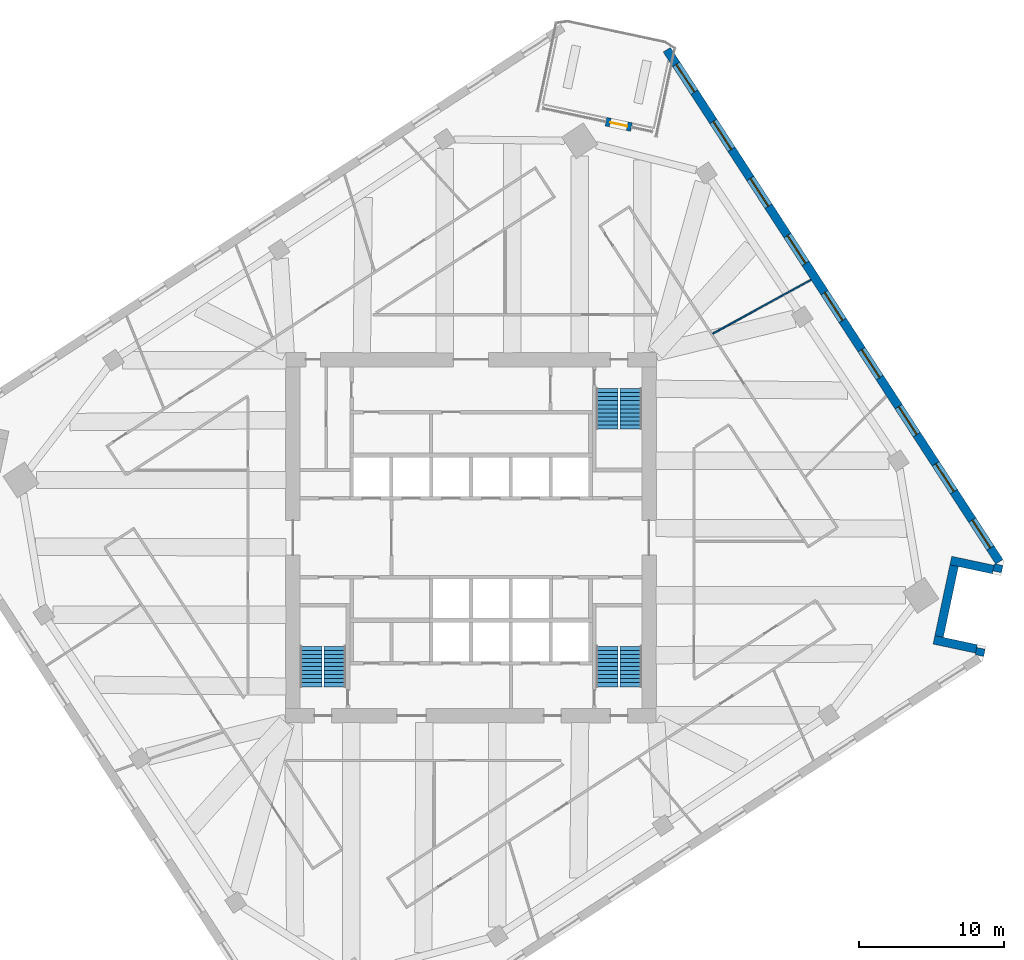
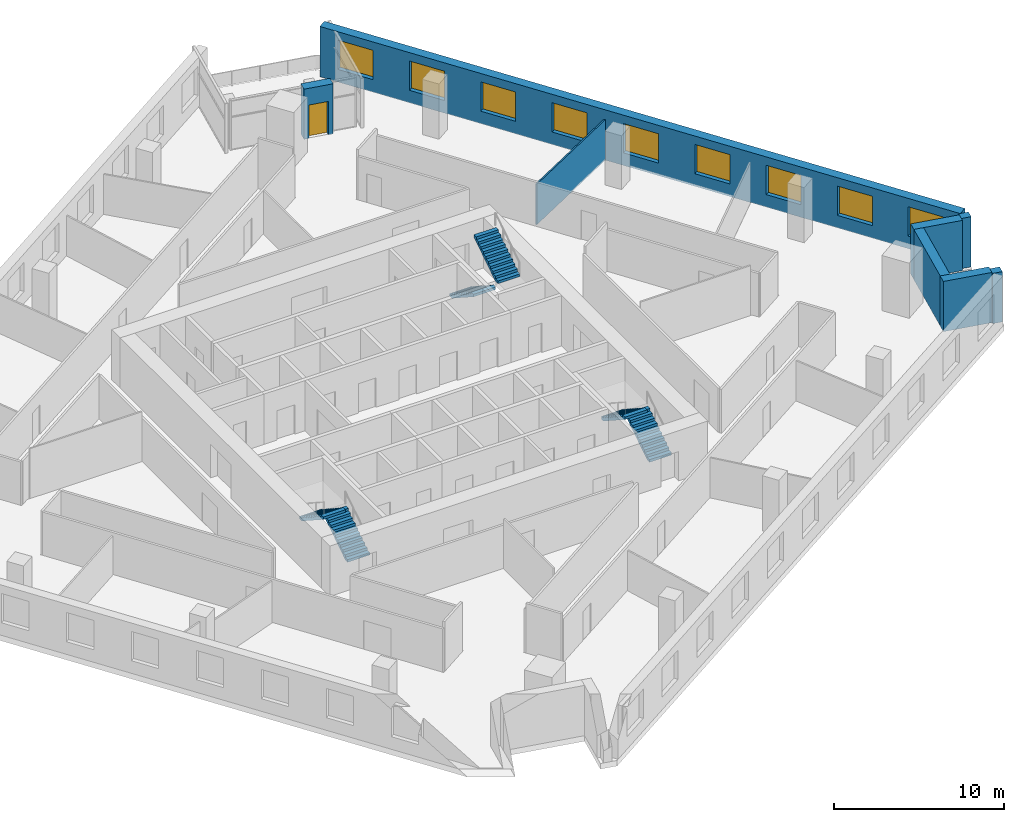
# One storey, part 10 of 12: 9 windows, 8 walls, 6 stair flights, 1 door, 10 openings, 3 elements without a shape of their own.
"""IFC4 building model written with IfcOpenShell, lengths in metres."""

import ifcopenshell
import ifcopenshell.guid

model = None  # the IFC model being written
_history = None  # IfcOwnerHistory: only IFC2X3 demands one
_inside = {}  # id of a spatial element -> (the spatial element, [elements in it])
_under = {}  # id of a project, library or spatial element -> (it, [spatial elements below it])
_declared = {}  # id of a project -> (the project, [libraries it declares])
_typed = {}  # id of a type object -> (the type object, [elements of that type])
_made_of = {}  # id of a material, layer set ... -> (it, [elements and type objects made of it])


def new_model(schema):
    """Start an empty IFC model of exactly this schema.

    Asked for "IFC4X3", IfcOpenShell would pick the latest addendum, in which some entities
    have other attributes; the version numbers below select the first issue.
    IFC2X3 requires an IfcOwnerHistory on every rooted entity: one is made here for all.
    """
    global model, _history
    if schema == "IFC4X3":
        model = ifcopenshell.file(schema_version=(4, 3, 0, 0))
    else:
        model = ifcopenshell.file(schema=schema)
    _inside.clear()
    _under.clear()
    _declared.clear()
    _typed.clear()
    _made_of.clear()
    _history = None
    if model.schema == "IFC2X3":
        org = make("IfcOrganization", Name="unknown")
        user = make(
            "IfcPersonAndOrganization",
            ThePerson=make("IfcPerson", FamilyName="unknown"),
            TheOrganization=org,
        )
        app = make(
            "IfcApplication",
            ApplicationDeveloper=org,
            Version="unknown",
            ApplicationFullName="unknown",
            ApplicationIdentifier="unknown",
        )
        _history = make(
            "IfcOwnerHistory",
            OwningUser=user,
            OwningApplication=app,
            ChangeAction="ADDED",
            CreationDate=0,
        )
    return model


def make(cls, **values):
    """One entity of the class cls with the attributes given. An attribute that is None is left unset."""
    return model.create_entity(
        cls, **{name: value for name, value in values.items() if value is not None}
    )


def rooted(cls, **values):
    """An entity with a GlobalId (a new one), such as an element, a storey or a relation."""
    return make(cls, GlobalId=ifcopenshell.guid.new(), OwnerHistory=_history, **values)


def si_unit(unit_type, name, prefix=None):
    """IfcSIUnit, for example si_unit("LENGTHUNIT", "METRE", prefix="MILLI")."""
    return make("IfcSIUnit", UnitType=unit_type, Prefix=prefix, Name=name)


def assignment(units):
    """IfcUnitAssignment: the units of a project."""
    return None if units is None else make("IfcUnitAssignment", Units=units)


def point(xyz):
    """IfcCartesianPoint."""
    return None if xyz is None else make("IfcCartesianPoint", Coordinates=xyz)


def direction(xyz):
    """IfcDirection."""
    return None if xyz is None else make("IfcDirection", DirectionRatios=xyz)


def frame(location, z_axis=None, x_axis=None):
    """IfcAxis2Placement3D, a coordinate frame: its origin and axes. An axis left out is left unset."""
    return make(
        "IfcAxis2Placement3D",
        Location=point(location),
        Axis=direction(z_axis),
        RefDirection=direction(x_axis),
    )


def frame_2d(location, x_axis=None):
    """IfcAxis2Placement2D, a coordinate frame in the plane: its origin and x axis."""
    return make(
        "IfcAxis2Placement2D", Location=point(location), RefDirection=direction(x_axis)
    )


def origin():
    """The frame at (0, 0, 0) with its axes left unset."""
    return frame((0.0, 0.0, 0.0))


def place(relative_to, where):
    """IfcLocalPlacement: puts the frame where relative to a parent placement (None: the world)."""
    return make(
        "IfcLocalPlacement", PlacementRelTo=relative_to, RelativePlacement=where
    )


def context(
    kind, dimensions, precision=None, world=None, true_north=None, identifier=None
):
    """IfcGeometricRepresentationContext, for example the 3D "Model" context."""
    return make(
        "IfcGeometricRepresentationContext",
        ContextIdentifier=identifier,
        ContextType=kind,
        CoordinateSpaceDimension=dimensions,
        Precision=precision,
        WorldCoordinateSystem=world,
        TrueNorth=true_north,
    )


def subcontext(parent, identifier, kind, view, scale=None):
    """IfcGeometricRepresentationSubContext, for example "Body" below "Model"."""
    return make(
        "IfcGeometricRepresentationSubContext",
        ContextIdentifier=identifier,
        ContextType=kind,
        ParentContext=parent,
        TargetScale=scale,
        TargetView=view,
    )


def project(units=None, contexts=None):
    """IfcProject with its units and contexts."""
    return rooted(
        "IfcProject",
        Name="project",
        RepresentationContexts=contexts,
        UnitsInContext=assignment(units),
    )


def spatial(cls, under=None, at=None, **own):
    """A site, building, storey or space (cls), placed at a placement, below another one or the project."""
    s = rooted(cls, ObjectPlacement=at, **own)
    if under is not None:
        _under.setdefault(under.id(), (under, []))[1].append(s)
    return s


def polyline(points):
    """IfcPolyline through the points."""
    return make("IfcPolyline", Points=[point(p) for p in points])


def profile(cls, at=None, kind="AREA", **sizes):
    """A parametric profile (cls). Its sizes go by their IFC names, for example OverallWidth=200.0."""
    return make(cls, ProfileType=kind, Position=at, **sizes)


def rectangle(**sizes):
    """IfcRectangleProfileDef."""
    return profile("IfcRectangleProfileDef", **sizes)


def outline(outer, holes=None, kind="AREA"):
    """IfcArbitraryClosedProfileDef: a profile drawn as a closed curve; with holes, ...WithVoids."""
    if holes is None:
        return make("IfcArbitraryClosedProfileDef", ProfileType=kind, OuterCurve=outer)
    return make(
        "IfcArbitraryProfileDefWithVoids",
        ProfileType=kind,
        OuterCurve=outer,
        InnerCurves=holes,
    )


def extrude(swept, where, along, depth):
    """IfcExtrudedAreaSolid: the profile swept, set in the frame where, extruded along a direction by depth."""
    return make(
        "IfcExtrudedAreaSolid",
        SweptArea=swept,
        Position=where,
        ExtrudedDirection=direction(along),
        Depth=depth,
    )


def shape(context_of_items, identifier, shape_type, items):
    """IfcShapeRepresentation: the items that make up one representation, for example the "Body"."""
    return make(
        "IfcShapeRepresentation",
        ContextOfItems=context_of_items,
        RepresentationIdentifier=identifier,
        RepresentationType=shape_type,
        Items=items,
    )


def material(Name=None, Category=None):
    """IfcMaterial."""
    return make("IfcMaterial", Name=Name, Category=Category)


def layer(
    of_material, thickness, ventilated=None, Name=None, Category=None, Priority=None
):
    """IfcMaterialLayer: one layer of a wall or slab, of a material (None: an air gap)."""
    return make(
        "IfcMaterialLayer",
        Material=of_material,
        LayerThickness=thickness,
        IsVentilated=ventilated,
        Name=Name,
        Category=Category,
        Priority=Priority,
    )


def layer_set(layers, Name=None):
    """IfcMaterialLayerSet."""
    return make("IfcMaterialLayerSet", MaterialLayers=layers, LayerSetName=Name)


def made_of(thing, what):
    """Note that an element or type object is made of a material, layer set ...; save() writes the relation."""
    if what is not None:
        _made_of.setdefault(what.id(), (what, []))[1].append(thing)
    return thing


def type_object(cls, material=None, **own):
    """A type object (cls), such as IfcWallType, which elements share."""
    return made_of(rooted(cls, **own), material)


def element(
    cls,
    number,
    at=None,
    inside=None,
    cuts=None,
    type_object=None,
    material=None,
    context=None,
    identifier="Body",
    shape_type=None,
    held_by="IfcProductDefinitionShape",
    body=None,
    shapes=None,
    **own,
):
    """One element of the class cls, such as IfcWall. Its Tag is "e" and its number.

    at: its placement. inside: the storey or other place that contains it. cuts: it is an
    opening in that element (IfcRelVoidsElement). A single representation is given by context,
    identifier, shape_type and body (its items); several are given by shapes. held_by: the class
    of the entity that holds the representations. save() writes the other relations.
    """
    e = rooted(cls, Tag="e%d" % number, ObjectPlacement=at, **own)
    if body is not None:
        shapes = [shape(context, identifier, shape_type, body)]
    if shapes is not None:
        e.Representation = make(held_by, Representations=shapes)
    if inside is not None:
        _inside.setdefault(inside.id(), (inside, []))[1].append(e)
    if cuts is not None:
        rooted(
            "IfcRelVoidsElement", RelatingBuildingElement=cuts, RelatedOpeningElement=e
        )
    if type_object is not None:
        _typed.setdefault(type_object.id(), (type_object, []))[1].append(e)
    return made_of(e, material)


def fill(opening, filler):
    """IfcRelFillsElement: the door or window that sits in an opening."""
    return rooted(
        "IfcRelFillsElement",
        RelatingOpeningElement=opening,
        RelatedBuildingElement=filler,
    )


def aggregate(whole, parts):
    """IfcRelAggregates: a whole, such as a stair, and the parts it consists of."""
    return rooted("IfcRelAggregates", RelatingObject=whole, RelatedObjects=parts)


def save(model, path):
    """Write the relations noted so far, then the file.

    IfcRelAggregates (storeys below a building ...), IfcRelContainedInSpatialStructure (elements
    in a storey), IfcRelDefinesByType, IfcRelAssociatesMaterial and IfcRelDeclares: one each for
    every whole, place, type object, material and project.
    """
    for whole, parts in _under.values():
        aggregate(whole, parts)
    for where, things in _inside.values():
        rooted(
            "IfcRelContainedInSpatialStructure",
            RelatedElements=things,
            RelatingStructure=where,
        )
    for kind, things in _typed.values():
        rooted("IfcRelDefinesByType", RelatedObjects=things, RelatingType=kind)
    for what, things in _made_of.values():
        rooted("IfcRelAssociatesMaterial", RelatedObjects=things, RelatingMaterial=what)
    for by, libraries in _declared.values():
        rooted("IfcRelDeclares", RelatingContext=by, RelatedDefinitions=libraries)
    model.write(path)


model = new_model("IFC4")

# Units and contexts
model_context = context("Model", 3, precision=1e-05, world=origin(), true_north=direction((0.0, 1.0)))
body_context = subcontext(model_context, "Body", "Model", "MODEL_VIEW")
ifc_project = project(units=[si_unit("LENGTHUNIT", "METRE"), si_unit("AREAUNIT", "SQUARE_METRE"), si_unit("VOLUMEUNIT", "CUBIC_METRE"), si_unit("PLANEANGLEUNIT", "RADIAN"), si_unit("MASSUNIT", "GRAM", prefix="KILO")], contexts=[model_context])

# Site, building, storey
site_placement = place(None, origin())
site = spatial("IfcSite", under=ifc_project, at=site_placement, CompositionType="ELEMENT")
building_placement = place(site_placement, origin())
building = spatial("IfcBuilding", under=site, at=building_placement, Name="Dilmun Exchange Tower", CompositionType="ELEMENT")
storey_placement = place(building_placement, frame((0.0, 0.0, 155.699951171875)))
storey = spatial("IfcBuildingStorey", under=building, at=storey_placement, Name="L36", CompositionType="ELEMENT", Elevation=155.699951171875)

# Walls
ifc_material_1 = material(Name="Partition 100")
ifc_layer_1 = layer(ifc_material_1, 0.10009765625)
ifc_layer_set_1 = layer_set([ifc_layer_1], Name="Partition 100")
wall_type_1 = type_object("IfcWallType", Name="Partition 100", PredefinedType="PARTITIONING", material=ifc_layer_set_1)
wall_1_placement = place(storey_placement, frame((16.697265625, 14.0908203125, 0.0), z_axis=(0.0, 0.0, 1.0), x_axis=(0.877061470745, 0.480378159926, 0.0)))
element("IfcWall", 1, at=wall_1_placement, inside=storey, type_object=wall_type_1, Name="Partition", PredefinedType="PARTITIONING", context=body_context, shape_type="SweptSolid", body=[
    extrude(rectangle(XDim=7.74169921875, YDim=0.10009765625, at=frame_2d((3.870849609375, 0.0))), origin(), (0.0, 0.0, 1.0), 2.900146484375),
])
ifc_material_2 = material(Name="Precast concrete C50/60", Category="concrete")
ifc_layer_2 = layer(ifc_material_2, 0.60009765625)
ifc_layer_set_2 = layer_set([ifc_layer_2], Name="Precast concrete C50/60")
wall_type_2 = type_object("IfcWallType", Name="Precast stone-clad wall 600", PredefinedType="STANDARD", material=ifc_layer_set_2)
wall_2_placement = place(storey_placement, frame((35.119140625, -8.1455078125, 0.0), z_axis=(0.0, 0.0, 1.0), x_axis=(0.2081270777, 0.978101794052, 0.0)))
element("IfcWall", 2, at=wall_2_placement, inside=storey, type_object=wall_type_2, Name="Facade wall L36-16", PredefinedType="STANDARD", context=body_context, shape_type="SweptSolid", body=[
    extrude(rectangle(XDim=0.511474609375, YDim=0.60009765625, at=frame_2d((0.255859375, 0.0))), origin(), (0.0, 0.0, 1.0), 3.60009765625),
])
wall_3_placement = place(storey_placement, frame((34.911376953125, -7.6806640625, 0.0), z_axis=(0.0, 0.0, 1.0), x_axis=(-0.978146440129, 0.207917150959, 0.0)))
element("IfcWall", 3, at=wall_3_placement, inside=storey, type_object=wall_type_2, Name="Facade wall L36-17", PredefinedType="STANDARD", context=body_context, shape_type="SweptSolid", body=[
    extrude(rectangle(XDim=3.000244140625, YDim=0.60009765625, at=frame_2d((1.5, 0.0))), origin(), (0.0, 0.0, 1.0), 3.60009765625),
])
wall_4_placement = place(storey_placement, frame((32.33251953125, -6.825927734375, 0.0), z_axis=(0.0, 0.0, 1.0), x_axis=(0.207961536619, 0.978137004354, 0.0)))
element("IfcWall", 4, at=wall_4_placement, inside=storey, type_object=wall_type_2, Name="Facade wall L36-18", PredefinedType="STANDARD", context=body_context, shape_type="SweptSolid", body=[
    extrude(rectangle(XDim=5.0, YDim=0.60009765625, at=frame_2d((2.5, 0.0))), origin(), (0.0, 0.0, 1.0), 3.60009765625),
])
wall_5_placement = place(storey_placement, frame((33.14111328125, -1.579345703125, 0.0), z_axis=(0.0, 0.0, 1.0), x_axis=(0.978146440129, -0.207917150959, 0.0)))
element("IfcWall", 5, at=wall_5_placement, inside=storey, type_object=wall_type_2, Name="Facade wall L36-19", PredefinedType="STANDARD", context=body_context, shape_type="SweptSolid", body=[
    extrude(rectangle(XDim=3.000244140625, YDim=0.60009765625, at=frame_2d((1.5, 0.0))), origin(), (0.0, 0.0, 1.0), 3.60009765625),
])
wall_6_placement = place(storey_placement, frame((36.34814453125, -2.36328125, 0.0), z_axis=(0.0, 0.0, 1.0), x_axis=(0.208224297106, 0.978081102003, 0.0)))
element("IfcWall", 6, at=wall_6_placement, inside=storey, type_object=wall_type_2, Name="Facade wall L36-20", PredefinedType="STANDARD", context=body_context, shape_type="SweptSolid", body=[
    extrude(rectangle(XDim=0.51123046875, YDim=0.60009765625, at=frame_2d((0.255615234375, 0.0))), origin(), (0.0, 0.0, 1.0), 3.60009765625),
])

# Wall, openings, windows
wall_7_placement = place(storey_placement, frame((36.49609375, -1.66748046875, 0.0), z_axis=(0.0, 0.0, 1.0), x_axis=(-0.544637117646, 0.838671813096, 0.0)))
wall_7 = element("IfcWall", 7, at=wall_7_placement, inside=storey, type_object=wall_type_2, Name="Facade wall L36-21", PredefinedType="STANDARD", context=body_context, shape_type="SweptSolid", body=[
    extrude(rectangle(XDim=42.17578125, YDim=0.60009765625, at=frame_2d((21.087890625, 0.0))), origin(), (0.0, 0.0, 1.0), 3.60009765625),
])
opening_1_placement = place(wall_7_placement, frame((1.137939453125, 0.0, 0.89990234375)))
opening_1 = element("IfcOpeningElement", 8, at=opening_1_placement, cuts=wall_7, Name="Opening W230-210", PredefinedType="OPENING", context=body_context, shape_type="SweptSolid", body=[
    extrude(rectangle(XDim=2.300048828125, YDim=2.10009765625, at=frame_2d((1.14990234375, 1.050048828125))), frame((0.0, 0.31005859375, 0.0), z_axis=(0.0, -1.0, 0.0), x_axis=(1.0, 0.0, 0.0)), (0.0, 0.0, 1.0), 0.6201171875),
])
opening_2_placement = place(wall_7_placement, frame((5.775634765625, 0.0, 0.89990234375)))
opening_2 = element("IfcOpeningElement", 9, at=opening_2_placement, cuts=wall_7, Name="Opening W230-210", PredefinedType="OPENING", context=body_context, shape_type="SweptSolid", body=[
    extrude(rectangle(XDim=2.300048828125, YDim=2.10009765625, at=frame_2d((1.14990234375, 1.050048828125))), frame((0.0, 0.31005859375, 0.0), z_axis=(0.0, -1.0, 0.0), x_axis=(1.0, 0.0, 0.0)), (0.0, 0.0, 1.0), 0.6201171875),
])
opening_3_placement = place(wall_7_placement, frame((10.4755859375, 0.0, 0.89990234375)))
opening_3 = element("IfcOpeningElement", 10, at=opening_3_placement, cuts=wall_7, Name="Opening W230-210", PredefinedType="OPENING", context=body_context, shape_type="SweptSolid", body=[
    extrude(rectangle(XDim=2.300048828125, YDim=2.10009765625, at=frame_2d((1.14990234375, 1.050048828125))), frame((0.0, 0.31005859375, 0.0), z_axis=(0.0, -1.0, 0.0), x_axis=(1.0, 0.0, 0.0)), (0.0, 0.0, 1.0), 0.6201171875),
])
opening_4_placement = place(wall_7_placement, frame((15.17578125, 0.0, 0.89990234375)))
opening_4 = element("IfcOpeningElement", 11, at=opening_4_placement, cuts=wall_7, Name="Opening W230-210", PredefinedType="OPENING", context=body_context, shape_type="SweptSolid", body=[
    extrude(rectangle(XDim=2.300048828125, YDim=2.10009765625, at=frame_2d((1.14990234375, 1.050048828125))), frame((0.0, 0.31005859375, 0.0), z_axis=(0.0, -1.0, 0.0), x_axis=(1.0, 0.0, 0.0)), (0.0, 0.0, 1.0), 0.6201171875),
])
opening_5_placement = place(wall_7_placement, frame((19.875732421875, 0.0, 0.89990234375)))
opening_5 = element("IfcOpeningElement", 12, at=opening_5_placement, cuts=wall_7, Name="Opening W230-210", PredefinedType="OPENING", context=body_context, shape_type="SweptSolid", body=[
    extrude(rectangle(XDim=2.300048828125, YDim=2.10009765625, at=frame_2d((1.14990234375, 1.050048828125))), frame((0.0, 0.31005859375, 0.0), z_axis=(0.0, -1.0, 0.0), x_axis=(1.0, 0.0, 0.0)), (0.0, 0.0, 1.0), 0.6201171875),
])
opening_6_placement = place(wall_7_placement, frame((24.57568359375, 0.0, 0.89990234375)))
opening_6 = element("IfcOpeningElement", 13, at=opening_6_placement, cuts=wall_7, Name="Opening W230-210", PredefinedType="OPENING", context=body_context, shape_type="SweptSolid", body=[
    extrude(rectangle(XDim=2.300048828125, YDim=2.10009765625, at=frame_2d((1.14990234375, 1.050048828125))), frame((0.0, 0.31005859375, 0.0), z_axis=(0.0, -1.0, 0.0), x_axis=(1.0, 0.0, 0.0)), (0.0, 0.0, 1.0), 0.6201171875),
])
opening_7_placement = place(wall_7_placement, frame((29.275634765625, 0.0, 0.89990234375)))
opening_7 = element("IfcOpeningElement", 14, at=opening_7_placement, cuts=wall_7, Name="Opening W230-210", PredefinedType="OPENING", context=body_context, shape_type="SweptSolid", body=[
    extrude(rectangle(XDim=2.300048828125, YDim=2.10009765625, at=frame_2d((1.14990234375, 1.050048828125))), frame((0.0, 0.31005859375, 0.0), z_axis=(0.0, -1.0, 0.0), x_axis=(1.0, 0.0, 0.0)), (0.0, 0.0, 1.0), 0.6201171875),
])
opening_8_placement = place(wall_7_placement, frame((33.9755859375, 0.0, 0.89990234375)))
opening_8 = element("IfcOpeningElement", 15, at=opening_8_placement, cuts=wall_7, Name="Opening W230-210", PredefinedType="OPENING", context=body_context, shape_type="SweptSolid", body=[
    extrude(rectangle(XDim=2.300048828125, YDim=2.10009765625, at=frame_2d((1.14990234375, 1.050048828125))), frame((0.0, 0.31005859375, 0.0), z_axis=(0.0, -1.0, 0.0), x_axis=(1.0, 0.0, 0.0)), (0.0, 0.0, 1.0), 0.6201171875),
])
opening_9_placement = place(wall_7_placement, frame((38.67578125, 0.0, 0.89990234375)))
opening_9 = element("IfcOpeningElement", 16, at=opening_9_placement, cuts=wall_7, Name="Opening W230-210", PredefinedType="OPENING", context=body_context, shape_type="SweptSolid", body=[
    extrude(rectangle(XDim=2.300048828125, YDim=2.10009765625, at=frame_2d((1.14990234375, 1.050048828125))), frame((0.0, 0.31005859375, 0.0), z_axis=(0.0, -1.0, 0.0), x_axis=(1.0, 0.0, 0.0)), (0.0, 0.0, 1.0), 0.6201171875),
])
ifc_material_3 = material(Name="Clear low-emissivity glass in aluminium frame", Category="aluminium")
window_type = type_object("IfcWindowType", Name="Punched window 2300 x 2100", PartitioningType="DOUBLE_PANEL_VERTICAL", PredefinedType="WINDOW", material=ifc_material_3)
window_1_placement = place(opening_1_placement, origin())
window_1 = element("IfcWindow", 17, at=window_1_placement, inside=storey, type_object=window_type, Name="Window 22.1", OverallHeight=2.10009765625, OverallWidth=2.300048828125, PartitioningType="SINGLE_PANEL", PredefinedType="WINDOW", context=body_context, shape_type="SweptSolid", body=[
    extrude(rectangle(XDim=2.300048828125, YDim=2.10009765625, at=frame_2d((1.14990234375, 1.050048828125))), frame((0.0, 0.030029296875, 0.0), z_axis=(0.0, -1.0, 0.0), x_axis=(1.0, 0.0, 0.0)), (0.0, 0.0, 1.0), 0.06005859375),
])
fill(opening_1, window_1)
window_2_placement = place(opening_2_placement, origin())
window_2 = element("IfcWindow", 18, at=window_2_placement, inside=storey, type_object=window_type, Name="Window 22.2", OverallHeight=2.10009765625, OverallWidth=2.300048828125, PartitioningType="SINGLE_PANEL", PredefinedType="WINDOW", context=body_context, shape_type="SweptSolid", body=[
    extrude(rectangle(XDim=2.300048828125, YDim=2.10009765625, at=frame_2d((1.14990234375, 1.050048828125))), frame((0.0, 0.030029296875, 0.0), z_axis=(0.0, -1.0, 0.0), x_axis=(1.0, 0.0, 0.0)), (0.0, 0.0, 1.0), 0.06005859375),
])
fill(opening_2, window_2)
window_3_placement = place(opening_3_placement, origin())
window_3 = element("IfcWindow", 19, at=window_3_placement, inside=storey, type_object=window_type, Name="Window 22.3", OverallHeight=2.10009765625, OverallWidth=2.300048828125, PartitioningType="SINGLE_PANEL", PredefinedType="WINDOW", context=body_context, shape_type="SweptSolid", body=[
    extrude(rectangle(XDim=2.300048828125, YDim=2.10009765625, at=frame_2d((1.14990234375, 1.050048828125))), frame((0.0, 0.030029296875, 0.0), z_axis=(0.0, -1.0, 0.0), x_axis=(1.0, 0.0, 0.0)), (0.0, 0.0, 1.0), 0.06005859375),
])
fill(opening_3, window_3)
window_4_placement = place(opening_4_placement, origin())
window_4 = element("IfcWindow", 20, at=window_4_placement, inside=storey, type_object=window_type, Name="Window 22.4", OverallHeight=2.10009765625, OverallWidth=2.300048828125, PartitioningType="SINGLE_PANEL", PredefinedType="WINDOW", context=body_context, shape_type="SweptSolid", body=[
    extrude(rectangle(XDim=2.300048828125, YDim=2.10009765625, at=frame_2d((1.14990234375, 1.050048828125))), frame((0.0, 0.030029296875, 0.0), z_axis=(0.0, -1.0, 0.0), x_axis=(1.0, 0.0, 0.0)), (0.0, 0.0, 1.0), 0.06005859375),
])
fill(opening_4, window_4)
window_5_placement = place(opening_5_placement, origin())
window_5 = element("IfcWindow", 21, at=window_5_placement, inside=storey, type_object=window_type, Name="Window 22.5", OverallHeight=2.10009765625, OverallWidth=2.300048828125, PartitioningType="SINGLE_PANEL", PredefinedType="WINDOW", context=body_context, shape_type="SweptSolid", body=[
    extrude(rectangle(XDim=2.300048828125, YDim=2.10009765625, at=frame_2d((1.14990234375, 1.050048828125))), frame((0.0, 0.030029296875, 0.0), z_axis=(0.0, -1.0, 0.0), x_axis=(1.0, 0.0, 0.0)), (0.0, 0.0, 1.0), 0.06005859375),
])
fill(opening_5, window_5)
window_6_placement = place(opening_6_placement, origin())
window_6 = element("IfcWindow", 22, at=window_6_placement, inside=storey, type_object=window_type, Name="Window 22.6", OverallHeight=2.10009765625, OverallWidth=2.300048828125, PartitioningType="SINGLE_PANEL", PredefinedType="WINDOW", context=body_context, shape_type="SweptSolid", body=[
    extrude(rectangle(XDim=2.300048828125, YDim=2.10009765625, at=frame_2d((1.14990234375, 1.050048828125))), frame((0.0, 0.030029296875, 0.0), z_axis=(0.0, -1.0, 0.0), x_axis=(1.0, 0.0, 0.0)), (0.0, 0.0, 1.0), 0.06005859375),
])
fill(opening_6, window_6)
window_7_placement = place(opening_7_placement, origin())
window_7 = element("IfcWindow", 23, at=window_7_placement, inside=storey, type_object=window_type, Name="Window 22.7", OverallHeight=2.10009765625, OverallWidth=2.300048828125, PartitioningType="SINGLE_PANEL", PredefinedType="WINDOW", context=body_context, shape_type="SweptSolid", body=[
    extrude(rectangle(XDim=2.300048828125, YDim=2.10009765625, at=frame_2d((1.14990234375, 1.050048828125))), frame((0.0, 0.030029296875, 0.0), z_axis=(0.0, -1.0, 0.0), x_axis=(1.0, 0.0, 0.0)), (0.0, 0.0, 1.0), 0.06005859375),
])
fill(opening_7, window_7)
window_8_placement = place(opening_8_placement, origin())
window_8 = element("IfcWindow", 24, at=window_8_placement, inside=storey, type_object=window_type, Name="Window 22.8", OverallHeight=2.10009765625, OverallWidth=2.300048828125, PartitioningType="SINGLE_PANEL", PredefinedType="WINDOW", context=body_context, shape_type="SweptSolid", body=[
    extrude(rectangle(XDim=2.300048828125, YDim=2.10009765625, at=frame_2d((1.14990234375, 1.050048828125))), frame((0.0, 0.030029296875, 0.0), z_axis=(0.0, -1.0, 0.0), x_axis=(1.0, 0.0, 0.0)), (0.0, 0.0, 1.0), 0.06005859375),
])
fill(opening_8, window_8)
window_9_placement = place(opening_9_placement, origin())
window_9 = element("IfcWindow", 25, at=window_9_placement, inside=storey, type_object=window_type, Name="Window 22.9", OverallHeight=2.10009765625, OverallWidth=2.300048828125, PartitioningType="SINGLE_PANEL", PredefinedType="WINDOW", context=body_context, shape_type="SweptSolid", body=[
    extrude(rectangle(XDim=2.300048828125, YDim=2.10009765625, at=frame_2d((1.14990234375, 1.050048828125))), frame((0.0, 0.030029296875, 0.0), z_axis=(0.0, -1.0, 0.0), x_axis=(1.0, 0.0, 0.0)), (0.0, 0.0, 1.0), 0.06005859375),
])
fill(opening_9, window_9)

# Wall, opening, door
wall_8_placement = place(storey_placement, frame((11.084228515625, 28.360595703125, 0.0), z_axis=(0.0, 0.0, 1.0), x_axis=(-0.978174015353, 0.207787380965, 0.0)))
wall_8 = element("IfcWall", 26, at=wall_8_placement, inside=storey, type_object=wall_type_2, Name="Facade wall L36-01-D", PredefinedType="STANDARD", context=body_context, shape_type="SweptSolid", body=[
    extrude(rectangle(XDim=1.800048828125, YDim=0.60009765625, at=frame_2d((0.89990234375, 0.0))), origin(), (0.0, 0.0, 1.0), 3.60009765625),
])
opening_10_placement = place(wall_8_placement, frame((0.300048828125, 0.0, 0.0)))
opening_10 = element("IfcOpeningElement", 27, at=opening_10_placement, cuts=wall_8, Name="Opening GD-1", PredefinedType="OPENING", context=body_context, shape_type="SweptSolid", body=[
    extrude(rectangle(XDim=1.199951171875, YDim=2.39990234375, at=frame_2d((0.60009765625, 1.199951171875))), frame((0.0, 0.31005859375, 0.0), z_axis=(0.0, -1.0, 0.0), x_axis=(1.0, 0.0, 0.0)), (0.0, 0.0, 1.0), 0.6201171875),
])
door_type = type_object("IfcDoorType", Name="Glazed garden door 1200 x 2400", OperationType="SINGLE_SWING_LEFT", PredefinedType="DOOR", material=ifc_material_3)
door_placement = place(opening_10_placement, origin())
door = element("IfcDoor", 28, at=door_placement, inside=storey, type_object=door_type, Name="Garden terrace door", OperationType="SINGLE_SWING_LEFT", OverallHeight=2.39990234375, OverallWidth=1.199951171875, PredefinedType="DOOR", context=body_context, shape_type="SweptSolid", body=[
    extrude(rectangle(XDim=1.199951171875, YDim=2.39990234375, at=frame_2d((0.60009765625, 1.199951171875))), frame((0.0, 0.02490234375, 0.0), z_axis=(0.0, -1.0, 0.0), x_axis=(1.0, 0.0, 0.0)), (0.0, 0.0, 1.0), 0.050048828125),
])
fill(opening_10, door)

# Stair, stair flights
ifc_material_4 = material(Name="Concrete C40/50", Category="concrete")
stair_type = type_object("IfcStairType", Name="Exit stair 1500 half-turn", PredefinedType="HALF_TURN_STAIR", material=ifc_material_4)
stair_1_placement = place(storey_placement, origin())
stair_1 = element("IfcStair", 29, at=stair_1_placement, inside=storey, type_object=stair_type, Name="L36 Protected exit stair ST1", PredefinedType="HALF_TURN_STAIR")
stair_flight_type = type_object("IfcStairFlightType", Name="Exit stair flight 1500", PredefinedType="STRAIGHT", material=ifc_material_4)
stair_flight_1_placement = place(storey_placement, frame((9.39990234375, 10.300048828125, 0.0), z_axis=(0.0, 0.0, 1.0), x_axis=(0.0, -1.0, 0.0)))
stair_flight_1 = element("IfcStairFlight", 30, at=stair_flight_1_placement, type_object=stair_flight_type, Name="ST1 flight 1", NumberOfRisers=11, NumberOfTreads=10, PredefinedType="STRAIGHT", RiserHeight=0.181818182, TreadLength=0.28, context=body_context, shape_type="SweptSolid", body=[
    extrude(outline(polyline([(0.0, 0.0), (0.0, 0.181884765625), (0.280029296875, 0.181884765625), (0.280029296875, 0.363525390625), (0.56005859375, 0.363525390625), (0.56005859375, 0.54541015625), (0.840087890625, 0.54541015625), (0.840087890625, 0.727294921875), (1.1201171875, 0.727294921875), (1.1201171875, 0.9091796875), (1.39990234375, 0.9091796875), (1.39990234375, 1.0908203125), (1.679931640625, 1.0908203125), (1.679931640625, 1.272705078125), (1.9599609375, 1.272705078125), (1.9599609375, 1.45458984375), (2.239990234375, 1.45458984375), (2.239990234375, 1.636474609375), (2.52001953125, 1.636474609375), (2.52001953125, 1.818115234375), (2.800048828125, 1.818115234375), (2.800048828125, 2.0), (2.800048828125, 1.639404296875), (0.275146484375, 0.0), (0.0, 0.0)])), frame((0.0, 0.75, 0.0), z_axis=(0.0, -1.0, 0.0), x_axis=(1.0, 0.0, 0.0)), (0.0, 0.0, 1.0), 1.5),
])
stair_flight_2_placement = place(storey_placement, frame((11.050048828125, 7.5, 2.0), z_axis=(0.0, 0.0, 1.0), x_axis=(0.0, 1.0, 0.0)))
stair_flight_2 = element("IfcStairFlight", 31, at=stair_flight_2_placement, type_object=stair_flight_type, Name="ST1 flight 2", NumberOfRisers=11, NumberOfTreads=10, PredefinedType="STRAIGHT", RiserHeight=0.181818182, TreadLength=0.28, context=body_context, shape_type="SweptSolid", body=[
    extrude(outline(polyline([(0.0, 0.0), (0.0, 0.181884765625), (0.280029296875, 0.181884765625), (0.280029296875, 0.363525390625), (0.56005859375, 0.363525390625), (0.56005859375, 0.54541015625), (0.840087890625, 0.54541015625), (0.840087890625, 0.727294921875), (1.1201171875, 0.727294921875), (1.1201171875, 0.9091796875), (1.39990234375, 0.9091796875), (1.39990234375, 1.0908203125), (1.679931640625, 1.0908203125), (1.679931640625, 1.272705078125), (1.9599609375, 1.272705078125), (1.9599609375, 1.45458984375), (2.239990234375, 1.45458984375), (2.239990234375, 1.636474609375), (2.52001953125, 1.636474609375), (2.52001953125, 1.818115234375), (2.800048828125, 1.818115234375), (2.800048828125, 2.0), (2.800048828125, 1.639404296875), (0.275146484375, 0.0), (0.0, 0.0)])), frame((0.0, 0.75, 0.0), z_axis=(0.0, -1.0, 0.0), x_axis=(1.0, 0.0, 0.0)), (0.0, 0.0, 1.0), 1.5),
])
aggregate(stair_1, [stair_flight_1, stair_flight_2])

stair_2_placement = place(storey_placement, origin())
stair_2 = element("IfcStair", 32, at=stair_2_placement, inside=storey, type_object=stair_type, Name="L36 Protected exit stair ST2", PredefinedType="HALF_TURN_STAIR")
stair_flight_3_placement = place(storey_placement, frame((-9.39990234375, -10.300048828125, 0.0), z_axis=(0.0, 0.0, 1.0), x_axis=(0.0, 1.0, 0.0)))
stair_flight_3 = element("IfcStairFlight", 33, at=stair_flight_3_placement, type_object=stair_flight_type, Name="ST2 flight 1", NumberOfRisers=11, NumberOfTreads=10, PredefinedType="STRAIGHT", RiserHeight=0.181818182, TreadLength=0.28, context=body_context, shape_type="SweptSolid", body=[
    extrude(outline(polyline([(0.0, 0.0), (0.0, 0.181884765625), (0.280029296875, 0.181884765625), (0.280029296875, 0.363525390625), (0.56005859375, 0.363525390625), (0.56005859375, 0.54541015625), (0.840087890625, 0.54541015625), (0.840087890625, 0.727294921875), (1.1201171875, 0.727294921875), (1.1201171875, 0.9091796875), (1.39990234375, 0.9091796875), (1.39990234375, 1.0908203125), (1.679931640625, 1.0908203125), (1.679931640625, 1.272705078125), (1.9599609375, 1.272705078125), (1.9599609375, 1.45458984375), (2.239990234375, 1.45458984375), (2.239990234375, 1.636474609375), (2.52001953125, 1.636474609375), (2.52001953125, 1.818115234375), (2.800048828125, 1.818115234375), (2.800048828125, 2.0), (2.800048828125, 1.639404296875), (0.275146484375, 0.0), (0.0, 0.0)])), frame((0.0, 0.75, 0.0), z_axis=(0.0, -1.0, 0.0), x_axis=(1.0, 0.0, 0.0)), (0.0, 0.0, 1.0), 1.5),
])
stair_flight_4_placement = place(storey_placement, frame((-11.050048828125, -7.5, 2.0), z_axis=(0.0, 0.0, 1.0), x_axis=(0.0, -1.0, 0.0)))
stair_flight_4 = element("IfcStairFlight", 34, at=stair_flight_4_placement, type_object=stair_flight_type, Name="ST2 flight 2", NumberOfRisers=11, NumberOfTreads=10, PredefinedType="STRAIGHT", RiserHeight=0.181818182, TreadLength=0.28, context=body_context, shape_type="SweptSolid", body=[
    extrude(outline(polyline([(0.0, 0.0), (0.0, 0.181884765625), (0.280029296875, 0.181884765625), (0.280029296875, 0.363525390625), (0.56005859375, 0.363525390625), (0.56005859375, 0.54541015625), (0.840087890625, 0.54541015625), (0.840087890625, 0.727294921875), (1.1201171875, 0.727294921875), (1.1201171875, 0.9091796875), (1.39990234375, 0.9091796875), (1.39990234375, 1.0908203125), (1.679931640625, 1.0908203125), (1.679931640625, 1.272705078125), (1.9599609375, 1.272705078125), (1.9599609375, 1.45458984375), (2.239990234375, 1.45458984375), (2.239990234375, 1.636474609375), (2.52001953125, 1.636474609375), (2.52001953125, 1.818115234375), (2.800048828125, 1.818115234375), (2.800048828125, 2.0), (2.800048828125, 1.639404296875), (0.275146484375, 0.0), (0.0, 0.0)])), frame((0.0, 0.75, 0.0), z_axis=(0.0, -1.0, 0.0), x_axis=(1.0, 0.0, 0.0)), (0.0, 0.0, 1.0), 1.5),
])
aggregate(stair_2, [stair_flight_3, stair_flight_4])

stair_3_placement = place(storey_placement, origin())
stair_3 = element("IfcStair", 35, at=stair_3_placement, inside=storey, type_object=stair_type, Name="L36 Protected exit stair ST3", PredefinedType="HALF_TURN_STAIR")
stair_flight_5_placement = place(storey_placement, frame((11.050048828125, -10.300048828125, 0.0), z_axis=(0.0, 0.0, 1.0), x_axis=(0.0, 1.0, 0.0)))
stair_flight_5 = element("IfcStairFlight", 36, at=stair_flight_5_placement, type_object=stair_flight_type, Name="ST3 flight 1", NumberOfRisers=11, NumberOfTreads=10, PredefinedType="STRAIGHT", RiserHeight=0.181818182, TreadLength=0.28, context=body_context, shape_type="SweptSolid", body=[
    extrude(outline(polyline([(0.0, 0.0), (0.0, 0.181884765625), (0.280029296875, 0.181884765625), (0.280029296875, 0.363525390625), (0.56005859375, 0.363525390625), (0.56005859375, 0.54541015625), (0.840087890625, 0.54541015625), (0.840087890625, 0.727294921875), (1.1201171875, 0.727294921875), (1.1201171875, 0.9091796875), (1.39990234375, 0.9091796875), (1.39990234375, 1.0908203125), (1.679931640625, 1.0908203125), (1.679931640625, 1.272705078125), (1.9599609375, 1.272705078125), (1.9599609375, 1.45458984375), (2.239990234375, 1.45458984375), (2.239990234375, 1.636474609375), (2.52001953125, 1.636474609375), (2.52001953125, 1.818115234375), (2.800048828125, 1.818115234375), (2.800048828125, 2.0), (2.800048828125, 1.639404296875), (0.275146484375, 0.0), (0.0, 0.0)])), frame((0.0, 0.75, 0.0), z_axis=(0.0, -1.0, 0.0), x_axis=(1.0, 0.0, 0.0)), (0.0, 0.0, 1.0), 1.5),
])
stair_flight_6_placement = place(storey_placement, frame((9.39990234375, -7.5, 2.0), z_axis=(0.0, 0.0, 1.0), x_axis=(0.0, -1.0, 0.0)))
stair_flight_6 = element("IfcStairFlight", 37, at=stair_flight_6_placement, type_object=stair_flight_type, Name="ST3 flight 2", NumberOfRisers=11, NumberOfTreads=10, PredefinedType="STRAIGHT", RiserHeight=0.181818182, TreadLength=0.28, context=body_context, shape_type="SweptSolid", body=[
    extrude(outline(polyline([(0.0, 0.0), (0.0, 0.181884765625), (0.280029296875, 0.181884765625), (0.280029296875, 0.363525390625), (0.56005859375, 0.363525390625), (0.56005859375, 0.54541015625), (0.840087890625, 0.54541015625), (0.840087890625, 0.727294921875), (1.1201171875, 0.727294921875), (1.1201171875, 0.9091796875), (1.39990234375, 0.9091796875), (1.39990234375, 1.0908203125), (1.679931640625, 1.0908203125), (1.679931640625, 1.272705078125), (1.9599609375, 1.272705078125), (1.9599609375, 1.45458984375), (2.239990234375, 1.45458984375), (2.239990234375, 1.636474609375), (2.52001953125, 1.636474609375), (2.52001953125, 1.818115234375), (2.800048828125, 1.818115234375), (2.800048828125, 2.0), (2.800048828125, 1.639404296875), (0.275146484375, 0.0), (0.0, 0.0)])), frame((0.0, 0.75, 0.0), z_axis=(0.0, -1.0, 0.0), x_axis=(1.0, 0.0, 0.0)), (0.0, 0.0, 1.0), 1.5),
])
aggregate(stair_3, [stair_flight_5, stair_flight_6])

save(model, "model.ifc")
